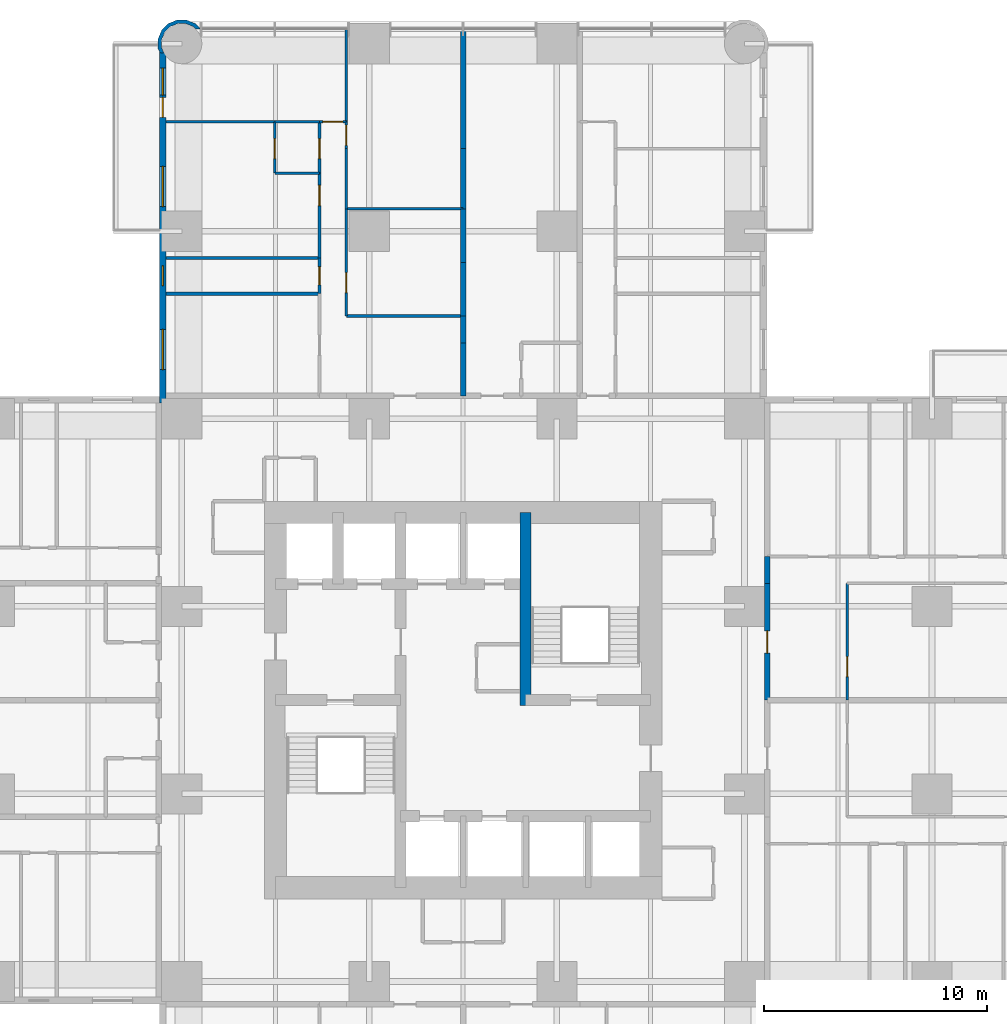
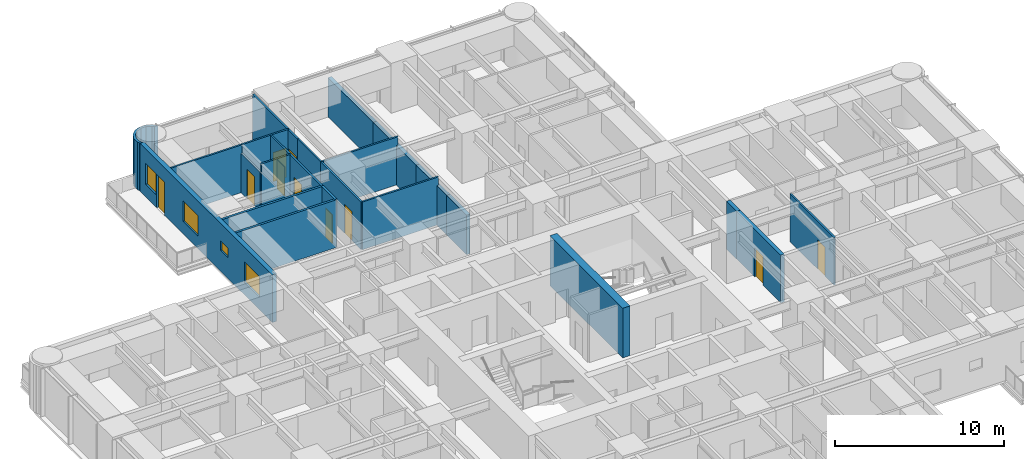
# One storey, part 13 of 17: 28 walls, 10 doors, 4 windows, 14 openings.
"""IFC4 building model written with IfcOpenShell, lengths in metres."""

from ifc_helpers import new_model, si_unit, direction, frame, frame_2d, origin, place, context, subcontext, project, spatial, polyline, rectangle, outline, extrude, material, layer, layer_set, type_object, element, fill, save


model = new_model("IFC4")

# Units and contexts
model_context = context("Model", 3, precision=1e-05, world=origin(), true_north=direction((0.0, 1.0)))
body_context = subcontext(model_context, "Body", "Model", "MODEL_VIEW")
ifc_project = project(units=[si_unit("LENGTHUNIT", "METRE"), si_unit("AREAUNIT", "SQUARE_METRE"), si_unit("VOLUMEUNIT", "CUBIC_METRE"), si_unit("PLANEANGLEUNIT", "RADIAN"), si_unit("MASSUNIT", "GRAM", prefix="KILO")], contexts=[model_context])

# Site, building, storey
site_placement = place(None, origin())
site = spatial("IfcSite", under=ifc_project, at=site_placement, CompositionType="ELEMENT")
building_placement = place(site_placement, origin())
building = spatial("IfcBuilding", under=site, at=building_placement, Name="Torre Alcanfor", CompositionType="ELEMENT")
storey_placement = place(building_placement, frame((0.0, 0.0, 63.300048828125)))
storey = spatial("IfcBuildingStorey", under=building, at=storey_placement, Name="L15", CompositionType="ELEMENT", Elevation=63.300048828125)

# Wall, opening, door
ifc_material_1 = material(Name="Concrete block masonry, hollow blocks NMX-C-404 9 MPa", Category="masonry")
ifc_layer_1 = layer(ifc_material_1, 0.25)
ifc_layer_set_1 = layer_set([ifc_layer_1], Name="Apartment entrance wall 250 EI 60")
wall_type_1 = type_object("IfcWallType", Name="Apartment entrance wall 250 EI 60", PredefinedType="PARTITIONING", material=ifc_layer_set_1)
wall_1_placement = place(storey_placement, frame((43.02490234375, 34.62890625, 0.0), z_axis=(0.0, 0.0, 1.0), x_axis=(0.0, -1.0, 0.0)))
wall_1 = element("IfcWall", 1, at=wall_1_placement, inside=storey, type_object=wall_type_1, Name="Partition L15-CORR / L15-E1-ZAG", PredefinedType="PARTITIONING", context=body_context, shape_type="SweptSolid", body=[
    extrude(rectangle(XDim=5.22900390625, YDim=0.25, at=frame_2d((2.614501953125, 0.0))), origin(), (0.0, 0.0, 1.0), 3.449951171875),
])
opening_1_placement = place(wall_1_placement, frame((2.12890625, 0.0, 0.0)))
opening_1 = element("IfcOpeningElement", 2, at=opening_1_placement, cuts=wall_1, Name="Opening D-A1", PredefinedType="OPENING", context=body_context, shape_type="SweptSolid", body=[
    extrude(rectangle(XDim=1.0, YDim=2.10009765625, at=frame_2d((0.5, 1.050048828125))), frame((0.0, 0.135009765625, 0.0), z_axis=(0.0, -1.0, 0.0), x_axis=(1.0, 0.0, 0.0)), (0.0, 0.0, 1.0), 0.27001953125),
])
ifc_material_2 = material(Name="Galvanised steel sheet ASTM A653", Category="steel")
door_type_1 = type_object("IfcDoorType", Name="Apartment entrance door FD60 1000x2100", OperationType="SINGLE_SWING_LEFT", PredefinedType="DOOR", material=ifc_material_2)
door_1_placement = place(opening_1_placement, origin())
door_1 = element("IfcDoor", 3, at=door_1_placement, inside=storey, type_object=door_type_1, Name="Apartment entrance L15-E1", OperationType="SINGLE_SWING_RIGHT", OverallHeight=2.10009765625, OverallWidth=1.0, PredefinedType="DOOR", context=body_context, shape_type="SweptSolid", body=[
    extrude(rectangle(XDim=1.0, YDim=2.10009765625, at=frame_2d((0.5, 1.050048828125))), frame((0.0, 0.02490234375, 0.0), z_axis=(0.0, -1.0, 0.0), x_axis=(1.0, 0.0, 0.0)), (0.0, 0.0, 1.0), 0.050048828125),
])
fill(opening_1, door_1)

# Walls
wall_2_placement = place(storey_placement, frame((43.02490234375, 35.8291015625, 0.0), z_axis=(0.0, 0.0, 1.0), x_axis=(0.0, -1.0, 0.0)))
element("IfcWall", 4, at=wall_2_placement, inside=storey, type_object=wall_type_1, Name="Partition L15-CORR / L15-E1-HALL", PredefinedType="PARTITIONING", context=body_context, shape_type="SweptSolid", body=[
    extrude(rectangle(XDim=1.2001953125, YDim=0.25, at=frame_2d((0.60009765625, 0.0))), origin(), (0.0, 0.0, 1.0), 3.449951171875),
])
ifc_material_3 = material(Name="Gypsum board on steel studs", Category="steel")
ifc_layer_2 = layer(ifc_material_3, 0.1201171875)
ifc_layer_set_2 = layer_set([ifc_layer_2], Name="Apartment partition 120")
wall_type_2 = type_object("IfcWallType", Name="Apartment partition 120", PredefinedType="PARTITIONING", material=ifc_layer_set_2)
for number, where, z_axis, x_axis, name in (
    (5, (29.39990234375, 46.60009765625, 0.0), (0.0, 0.0, 1.0), (-1.0, 0.0, 0.0), "Partition L15-N1-ZAG / L15-N1-FAMILY"),
    (6, (29.39990234375, 51.39990234375, 0.0), (0.0, 0.0, 1.0), (-1.0, 0.0, 0.0), "Partition L15-N1-FAMILY / L15-N1-KITCHEN"),
):
    element("IfcWall", number, at=place(storey_placement, frame(where, z_axis=z_axis, x_axis=x_axis)), inside=storey, type_object=wall_type_2, Name=name, PredefinedType="PARTITIONING", context=body_context, shape_type="SweptSolid", body=[
        extrude(rectangle(XDim=5.22900390625, YDim=0.1201171875, at=frame_2d((2.614501953125, 0.0))), origin(), (0.0, 0.0, 1.0), 3.449951171875),
    ])

# Wall, opening, door
wall_3_placement = place(storey_placement, frame((24.1708984375, 51.39990234375, 0.0), z_axis=(0.0, 0.0, 1.0), x_axis=(0.0, -1.0, 0.0)))
wall_3 = element("IfcWall", 7, at=wall_3_placement, inside=storey, type_object=wall_type_2, Name="Partition L15-N1-FAMILY / L15-N1-HALL", PredefinedType="PARTITIONING", context=body_context, shape_type="SweptSolid", body=[
    extrude(rectangle(XDim=4.7998046875, YDim=0.1201171875, at=frame_2d((2.39990234375, 0.0))), origin(), (0.0, 0.0, 1.0), 3.449951171875),
])
opening_2_placement = place(wall_3_placement, frame((2.85009765625, 0.0, 0.0)))
opening_2 = element("IfcOpeningElement", 8, at=opening_2_placement, cuts=wall_3, Name="Opening D-R1", PredefinedType="OPENING", context=body_context, shape_type="SweptSolid", body=[
    extrude(rectangle(XDim=0.89990234375, YDim=2.10009765625, at=frame_2d((0.449951171875, 1.050048828125))), frame((0.0, 0.070068359375, 0.0), z_axis=(0.0, -1.0, 0.0), x_axis=(1.0, 0.0, 0.0)), (0.0, 0.0, 1.0), 0.14013671875),
])
ifc_material_4 = material(Name="Timber", Category="wood")
door_type_2 = type_object("IfcDoorType", Name="Internal door 900x2100", OperationType="SINGLE_SWING_LEFT", PredefinedType="DOOR", material=ifc_material_4)
door_2_placement = place(opening_2_placement, origin())
door_2 = element("IfcDoor", 9, at=door_2_placement, inside=storey, type_object=door_type_2, Name="Door L15-N1 family", OperationType="SINGLE_SWING_RIGHT", OverallHeight=2.10009765625, OverallWidth=0.89990234375, PredefinedType="DOOR", context=body_context, shape_type="SweptSolid", body=[
    extrude(rectangle(XDim=0.89990234375, YDim=2.10009765625, at=frame_2d((0.449951171875, 1.050048828125))), frame((0.0, 0.02490234375, 0.0), z_axis=(0.0, -1.0, 0.0), x_axis=(1.0, 0.0, 0.0)), (0.0, 0.0, 1.0), 0.050048828125),
])
fill(opening_2, door_2)

# Wall
wall_4_placement = place(storey_placement, frame((24.1708984375, 54.10009765625, 0.0), z_axis=(0.0, 0.0, 1.0), x_axis=(0.0, -1.0, 0.0)))
element("IfcWall", 10, at=wall_4_placement, inside=storey, type_object=wall_type_2, Name="Partition L15-N1-KITCHEN / L15-N1-HALL", PredefinedType="PARTITIONING", context=body_context, shape_type="SweptSolid", body=[
    extrude(rectangle(XDim=2.7001953125, YDim=0.1201171875, at=frame_2d((1.35009765625, 0.0))), origin(), (0.0, 0.0, 1.0), 3.449951171875),
])

# Wall, opening, door
wall_5_placement = place(storey_placement, frame((24.1708984375, 55.300048828125, 0.0), z_axis=(0.0, 0.0, 1.0), x_axis=(0.0, -1.0, 0.0)))
wall_5 = element("IfcWall", 11, at=wall_5_placement, inside=storey, type_object=wall_type_2, Name="Partition L15-N1-LIVING / L15-N1-HALL", PredefinedType="PARTITIONING", context=body_context, shape_type="SweptSolid", body=[
    extrude(rectangle(XDim=1.199951171875, YDim=0.1201171875, at=frame_2d((0.60009765625, 0.0))), origin(), (0.0, 0.0, 1.0), 3.449951171875),
])
opening_3_placement = place(wall_5_placement, frame((0.14990234375, 0.0, 0.0)))
opening_3 = element("IfcOpeningElement", 12, at=opening_3_placement, cuts=wall_5, Name="Opening D-R1", PredefinedType="OPENING", context=body_context, shape_type="SweptSolid", body=[
    extrude(rectangle(XDim=0.89990234375, YDim=2.10009765625, at=frame_2d((0.449951171875, 1.050048828125))), frame((0.0, 0.070068359375, 0.0), z_axis=(0.0, -1.0, 0.0), x_axis=(1.0, 0.0, 0.0)), (0.0, 0.0, 1.0), 0.14013671875),
])
door_3_placement = place(opening_3_placement, origin())
door_3 = element("IfcDoor", 13, at=door_3_placement, inside=storey, type_object=door_type_2, Name="Door L15-N1 living", OperationType="SINGLE_SWING_RIGHT", OverallHeight=2.10009765625, OverallWidth=0.89990234375, PredefinedType="DOOR", context=body_context, shape_type="SweptSolid", body=[
    extrude(rectangle(XDim=0.89990234375, YDim=2.10009765625, at=frame_2d((0.449951171875, 1.050048828125))), frame((0.0, 0.02490234375, 0.0), z_axis=(0.0, -1.0, 0.0), x_axis=(1.0, 0.0, 0.0)), (0.0, 0.0, 1.0), 0.050048828125),
])
fill(opening_3, door_3)

# Wall
wall_6_placement = place(storey_placement, frame((24.1708984375, 59.449951171875, 0.0), z_axis=(0.0, 0.0, 1.0), x_axis=(0.0, -1.0, 0.0)))
element("IfcWall", 14, at=wall_6_placement, inside=storey, type_object=wall_type_2, Name="Partition L15-N1-LIVING / L15-N1-WGARD", PredefinedType="PARTITIONING", context=body_context, shape_type="SweptSolid", body=[
    extrude(rectangle(XDim=4.14990234375, YDim=0.1201171875, at=frame_2d((2.074951171875, 0.0))), origin(), (0.0, 0.0, 1.0), 3.449951171875),
])

# Wall, opening, door
wall_7_placement = place(storey_placement, frame((22.970947265625, 53.0, 0.0), z_axis=(0.0, 0.0, 1.0), x_axis=(0.0, -1.0, 0.0)))
wall_7 = element("IfcWall", 15, at=wall_7_placement, inside=storey, type_object=wall_type_2, Name="Partition L15-N1-HALL / L15-N1-MASTER", PredefinedType="PARTITIONING", context=body_context, shape_type="SweptSolid", body=[
    extrude(rectangle(XDim=3.800048828125, YDim=0.1201171875, at=frame_2d((1.89990234375, 0.0))), origin(), (0.0, 0.0, 1.0), 3.449951171875),
])
opening_4_placement = place(wall_7_placement, frame((0.550048828125, 0.0, 0.0)))
opening_4 = element("IfcOpeningElement", 16, at=opening_4_placement, cuts=wall_7, Name="Opening D-R1", PredefinedType="OPENING", context=body_context, shape_type="SweptSolid", body=[
    extrude(rectangle(XDim=0.89990234375, YDim=2.10009765625, at=frame_2d((0.449951171875, 1.050048828125))), frame((0.0, 0.070068359375, 0.0), z_axis=(0.0, -1.0, 0.0), x_axis=(1.0, 0.0, 0.0)), (0.0, 0.0, 1.0), 0.14013671875),
])
door_4_placement = place(opening_4_placement, frame((0.89990234375, 0.0, 0.0), z_axis=(0.0, 0.0, 1.0), x_axis=(-1.0, 0.0, 0.0)))
door_4 = element("IfcDoor", 17, at=door_4_placement, inside=storey, type_object=door_type_2, Name="Door L15-N1 master", OperationType="SINGLE_SWING_RIGHT", OverallHeight=2.10009765625, OverallWidth=0.89990234375, PredefinedType="DOOR", context=body_context, shape_type="SweptSolid", body=[
    extrude(rectangle(XDim=0.89990234375, YDim=2.10009765625, at=frame_2d((0.449951171875, 1.050048828125))), frame((0.0, 0.025146484375, 0.0), z_axis=(0.0, -1.0, 0.0), x_axis=(1.0, 0.0, 0.0)), (0.0, 0.0, 1.0), 0.050048828125),
])
fill(opening_4, door_4)

wall_8_placement = place(storey_placement, frame((22.970947265625, 55.300048828125, 0.0), z_axis=(0.0, 0.0, 1.0), x_axis=(0.0, -1.0, 0.0)))
wall_8 = element("IfcWall", 18, at=wall_8_placement, inside=storey, type_object=wall_type_2, Name="Partition L15-N1-HALL / L15-N1-VEST", PredefinedType="PARTITIONING", context=body_context, shape_type="SweptSolid", body=[
    extrude(rectangle(XDim=2.300048828125, YDim=0.1201171875, at=frame_2d((1.14990234375, 0.0))), origin(), (0.0, 0.0, 1.0), 3.449951171875),
])
opening_5_placement = place(wall_8_placement, frame((0.75, 0.0, 0.0)))
opening_5 = element("IfcOpeningElement", 19, at=opening_5_placement, cuts=wall_8, Name="Opening D-R1", PredefinedType="OPENING", context=body_context, shape_type="SweptSolid", body=[
    extrude(rectangle(XDim=0.89990234375, YDim=2.10009765625, at=frame_2d((0.449951171875, 1.050048828125))), frame((0.0, 0.070068359375, 0.0), z_axis=(0.0, -1.0, 0.0), x_axis=(1.0, 0.0, 0.0)), (0.0, 0.0, 1.0), 0.14013671875),
])
door_5_placement = place(opening_5_placement, frame((0.89990234375, 0.0, 0.0), z_axis=(0.0, 0.0, 1.0), x_axis=(-1.0, 0.0, 0.0)))
door_5 = element("IfcDoor", 20, at=door_5_placement, inside=storey, type_object=door_type_2, Name="Door L15-N1 vest", OperationType="SINGLE_SWING_LEFT", OverallHeight=2.10009765625, OverallWidth=0.89990234375, PredefinedType="DOOR", context=body_context, shape_type="SweptSolid", body=[
    extrude(rectangle(XDim=0.89990234375, YDim=2.10009765625, at=frame_2d((0.449951171875, 1.050048828125))), frame((0.0, 0.025146484375, 0.0), z_axis=(0.0, -1.0, 0.0), x_axis=(1.0, 0.0, 0.0)), (0.0, 0.0, 1.0), 0.050048828125),
])
fill(opening_5, door_5)

wall_9_placement = place(storey_placement, frame((24.1708984375, 55.300048828125, 0.0), z_axis=(0.0, 0.0, 1.0), x_axis=(-1.0, 0.0, 0.0)))
wall_9 = element("IfcWall", 21, at=wall_9_placement, inside=storey, type_object=wall_type_2, Name="Partition L15-N1-HALL / L15-N1-WGARD", PredefinedType="PARTITIONING", context=body_context, shape_type="SweptSolid", body=[
    extrude(rectangle(XDim=1.199951171875, YDim=0.1201171875, at=frame_2d((0.60009765625, 0.0))), origin(), (0.0, 0.0, 1.0), 3.449951171875),
])
opening_6_placement = place(wall_9_placement, frame((0.15087890625, 0.0, 0.0)))
opening_6 = element("IfcOpeningElement", 22, at=opening_6_placement, cuts=wall_9, Name="Opening D-R1", PredefinedType="OPENING", context=body_context, shape_type="SweptSolid", body=[
    extrude(rectangle(XDim=0.89990234375, YDim=2.10009765625, at=frame_2d((0.449951171875, 1.050048828125))), frame((0.0, 0.070068359375, 0.0), z_axis=(0.0, -1.0, 0.0), x_axis=(1.0, 0.0, 0.0)), (0.0, 0.0, 1.0), 0.14013671875),
])
door_6_placement = place(opening_6_placement, frame((0.89990234375, 0.0, 0.0), z_axis=(0.0, 0.0, 1.0), x_axis=(-1.0, 0.0, 0.0)))
door_6 = element("IfcDoor", 23, at=door_6_placement, inside=storey, type_object=door_type_2, Name="Door L15-N1 wgard", OperationType="SINGLE_SWING_RIGHT", OverallHeight=2.10009765625, OverallWidth=0.89990234375, PredefinedType="DOOR", context=body_context, shape_type="SweptSolid", body=[
    extrude(rectangle(XDim=0.89990234375, YDim=2.10009765625, at=frame_2d((0.449951171875, 1.050048828125))), frame((0.0, 0.025146484375, 0.0), z_axis=(0.0, -1.0, 0.0), x_axis=(1.0, 0.0, 0.0)), (0.0, 0.0, 1.0), 0.050048828125),
])
fill(opening_6, door_6)

wall_10_placement = place(storey_placement, frame((20.970947265625, 55.300048828125, 0.0), z_axis=(0.0, 0.0, 1.0), x_axis=(0.0, -1.0, 0.0)))
wall_10 = element("IfcWall", 24, at=wall_10_placement, inside=storey, type_object=wall_type_2, Name="Partition L15-N1-MASTER / L15-N1-VEST", PredefinedType="PARTITIONING", context=body_context, shape_type="SweptSolid", body=[
    extrude(rectangle(XDim=2.300048828125, YDim=0.1201171875, at=frame_2d((1.14990234375, 0.0))), origin(), (0.0, 0.0, 1.0), 2.847900390625),
])
opening_7_placement = place(wall_10_placement, frame((0.75, 0.0, 0.0)))
opening_7 = element("IfcOpeningElement", 25, at=opening_7_placement, cuts=wall_10, Name="Opening D-R1", PredefinedType="OPENING", context=body_context, shape_type="SweptSolid", body=[
    extrude(rectangle(XDim=0.89990234375, YDim=2.10009765625, at=frame_2d((0.449951171875, 1.050048828125))), frame((0.0, 0.070068359375, 0.0), z_axis=(0.0, -1.0, 0.0), x_axis=(1.0, 0.0, 0.0)), (0.0, 0.0, 1.0), 0.14013671875),
])
door_7_placement = place(opening_7_placement, origin())
door_7 = element("IfcDoor", 26, at=door_7_placement, inside=storey, type_object=door_type_2, Name="Door L15-N1 master", OperationType="SINGLE_SWING_RIGHT", OverallHeight=2.10009765625, OverallWidth=0.89990234375, PredefinedType="DOOR", context=body_context, shape_type="SweptSolid", body=[
    extrude(rectangle(XDim=0.89990234375, YDim=2.10009765625, at=frame_2d((0.449951171875, 1.050048828125))), frame((0.0, 0.02490234375, 0.0), z_axis=(0.0, -1.0, 0.0), x_axis=(1.0, 0.0, 0.0)), (0.0, 0.0, 1.0), 0.050048828125),
])
fill(opening_7, door_7)

# Walls
wall_11_placement = place(storey_placement, frame((20.970947265625, 53.0, 0.0), z_axis=(0.0, 0.0, 1.0), x_axis=(1.0, 0.0, 0.0)))
element("IfcWall", 27, at=wall_11_placement, inside=storey, type_object=wall_type_2, Name="Partition L15-N1-MASTER / L15-N1-VEST", PredefinedType="PARTITIONING", context=body_context, shape_type="SweptSolid", body=[
    extrude(rectangle(XDim=2.0, YDim=0.1201171875, at=frame_2d((1.0, 0.0))), origin(), (0.0, 0.0, 1.0), 3.449951171875),
])
wall_12_placement = place(storey_placement, frame((16.10009765625, 55.300048828125, 0.0), z_axis=(0.0, 0.0, 1.0), x_axis=(1.0, 0.0, 0.0)))
element("IfcWall", 28, at=wall_12_placement, inside=storey, type_object=wall_type_2, Name="Partition L15-N1-MASTER / L15-N1-WGARD", PredefinedType="PARTITIONING", context=body_context, shape_type="SweptSolid", body=[
    extrude(rectangle(XDim=4.870849609375, YDim=0.1201171875, at=frame_2d((2.435546875, 0.0))), origin(), (0.0, 0.0, 1.0), 3.449951171875),
])
wall_13_placement = place(storey_placement, frame((22.970947265625, 55.300048828125, 0.0), z_axis=(0.0, 0.0, 1.0), x_axis=(-1.0, 0.0, 0.0)))
element("IfcWall", 29, at=wall_13_placement, inside=storey, type_object=wall_type_2, Name="Partition L15-N1-VEST / L15-N1-WGARD", PredefinedType="PARTITIONING", context=body_context, shape_type="SweptSolid", body=[
    extrude(rectangle(XDim=2.0, YDim=0.1201171875, at=frame_2d((1.0, 0.0))), origin(), (0.0, 0.0, 1.0), 3.449951171875),
])

# Wall, opening, door
wall_14_placement = place(storey_placement, frame((46.60009765625, 29.39990234375, 0.0), z_axis=(0.0, 0.0, 1.0), x_axis=(0.0, 1.0, 0.0)))
wall_14 = element("IfcWall", 30, at=wall_14_placement, inside=storey, type_object=wall_type_2, Name="Partition L15-E1-ZAG / L15-E1-KITCHEN", PredefinedType="PARTITIONING", context=body_context, shape_type="SweptSolid", body=[
    extrude(rectangle(XDim=5.22900390625, YDim=0.1201171875, at=frame_2d((2.614501953125, 0.0))), origin(), (0.0, 0.0, 1.0), 3.449951171875),
])
opening_8_placement = place(wall_14_placement, frame((1.050048828125, 0.0, 0.0)))
opening_8 = element("IfcOpeningElement", 31, at=opening_8_placement, cuts=wall_14, Name="Opening D-R1", PredefinedType="OPENING", context=body_context, shape_type="SweptSolid", body=[
    extrude(rectangle(XDim=0.89990234375, YDim=2.10009765625, at=frame_2d((0.449951171875, 1.050048828125))), frame((0.0, 0.070068359375, 0.0), z_axis=(0.0, -1.0, 0.0), x_axis=(1.0, 0.0, 0.0)), (0.0, 0.0, 1.0), 0.14013671875),
])
door_8_placement = place(opening_8_placement, frame((0.89990234375, 0.0, 0.0), z_axis=(0.0, 0.0, 1.0), x_axis=(-1.0, 0.0, 0.0)))
door_8 = element("IfcDoor", 32, at=door_8_placement, inside=storey, type_object=door_type_2, Name="Door L15-E1 kitchen", OperationType="SINGLE_SWING_RIGHT", OverallHeight=2.10009765625, OverallWidth=0.89990234375, PredefinedType="DOOR", context=body_context, shape_type="SweptSolid", body=[
    extrude(rectangle(XDim=0.89990234375, YDim=2.10009765625, at=frame_2d((0.449951171875, 1.050048828125))), frame((0.0, 0.025146484375, 0.0), z_axis=(0.0, -1.0, 0.0), x_axis=(1.0, 0.0, 0.0)), (0.0, 0.0, 1.0), 0.050048828125),
])
fill(opening_8, door_8)

# Wall
ifc_material_5 = material(Name="Concrete f'c 70 MPa", Category="concrete")
ifc_layer_3 = layer(ifc_material_5, 0.5)
ifc_layer_set_3 = layer_set([ifc_layer_3], Name="Core inner wall 500 f'c70")
wall_type_3 = type_object("IfcWallType", Name="Core inner wall 500 f'c70", PredefinedType="SHEAR", material=ifc_layer_set_3)
wall_15_placement = place(storey_placement, frame((32.199951171875, 29.14990234375, 0.0), z_axis=(0.0, 0.0, 1.0), x_axis=(0.0, 1.0, 0.0)))
element("IfcWall", 33, at=wall_15_placement, inside=storey, type_object=wall_type_3, Name="Core wall X322N L15", PredefinedType="SHEAR", context=body_context, shape_type="SweptSolid", body=[
    extrude(rectangle(XDim=8.650146484375, YDim=0.5, at=frame_2d((4.3251953125, 0.0))), origin(), (0.0, 0.0, 1.0), 3.599853515625),
])

# Wall, openings, door, windows
ifc_material_6 = material(Name="Limestone cladding", Category="masonry")
ifc_layer_4 = layer(ifc_material_6, 0.0400390625, Name="Facing")
ifc_material_7 = material(Name="Ventilated air cavity")
ifc_layer_5 = layer(ifc_material_7, 0.02001953125, ventilated=True, Name="Ventilated joint")
ifc_material_8 = material(Name="Mineral wool insulation", Category="insulation")
ifc_layer_6 = layer(ifc_material_8, 0.10009765625, Name="Insulation")
ifc_material_9 = material(Name="Concrete f'c 35 MPa", Category="concrete")
ifc_layer_7 = layer(ifc_material_9, 0.139892578125, Name="Backing")
ifc_layer_set_4 = layer_set([ifc_layer_4, ifc_layer_5, ifc_layer_6, ifc_layer_7], Name="External wall stone-clad 300")
wall_type_4 = type_object("IfcWallType", Name="External wall stone-clad 300", PredefinedType="SOLIDWALL", material=ifc_layer_set_4)
wall_16_placement = place(storey_placement, frame((15.949951171875, 58.39990234375, 0.0), z_axis=(0.0, 0.0, 1.0), x_axis=(0.0, -1.0, 0.0)))
wall_16 = element("IfcWall", 34, at=wall_16_placement, inside=storey, type_object=wall_type_4, Name="External wall L15 12", PredefinedType="SOLIDWALL", context=body_context, shape_type="SweptSolid", body=[
    extrude(rectangle(XDim=15.699951171875, YDim=0.300048828125, at=frame_2d((7.85009765625, 0.0))), origin(), (0.0, 0.0, 1.0), 3.449951171875),
])
opening_9_placement = place(wall_16_placement, frame((12.39990234375, 0.0, 0.89990234375)))
opening_9 = element("IfcOpeningElement", 35, at=opening_9_placement, cuts=wall_16, Name="Opening W2", PredefinedType="OPENING", context=body_context, shape_type="SweptSolid", body=[
    extrude(rectangle(XDim=1.800048828125, YDim=1.5, at=frame_2d((0.89990234375, 0.75))), frame((0.0, 0.159912109375, 0.0), z_axis=(0.0, -1.0, 0.0), x_axis=(1.0, 0.0, 0.0)), (0.0, 0.0, 1.0), 0.320068359375),
])
opening_10_placement = place(wall_16_placement, frame((9.550048828125, 0.0, 1.5)))
opening_10 = element("IfcOpeningElement", 36, at=opening_10_placement, cuts=wall_16, Name="Opening W3", PredefinedType="OPENING", context=body_context, shape_type="SweptSolid", body=[
    extrude(rectangle(XDim=0.89990234375, YDim=0.699951171875, at=frame_2d((0.449951171875, 0.35009765625))), frame((0.0, 0.159912109375, 0.0), z_axis=(0.0, -1.0, 0.0), x_axis=(1.0, 0.0, 0.0)), (0.0, 0.0, 1.0), 0.320068359375),
])
opening_11_placement = place(wall_16_placement, frame((5.10009765625, 0.0, 0.89990234375)))
opening_11 = element("IfcOpeningElement", 37, at=opening_11_placement, cuts=wall_16, Name="Opening W2", PredefinedType="OPENING", context=body_context, shape_type="SweptSolid", body=[
    extrude(rectangle(XDim=1.800048828125, YDim=1.5, at=frame_2d((0.89990234375, 0.75))), frame((0.0, 0.159912109375, 0.0), z_axis=(0.0, -1.0, 0.0), x_axis=(1.0, 0.0, 0.0)), (0.0, 0.0, 1.0), 0.320068359375),
])
opening_12_placement = place(wall_16_placement, frame((2.0, 0.0, 0.0)))
opening_12 = element("IfcOpeningElement", 38, at=opening_12_placement, cuts=wall_16, Name="Opening D-B1", PredefinedType="OPENING", context=body_context, shape_type="SweptSolid", body=[
    extrude(rectangle(XDim=0.89990234375, YDim=2.39990234375, at=frame_2d((0.449951171875, 1.199951171875))), frame((0.0, 0.159912109375, 0.0), z_axis=(0.0, -1.0, 0.0), x_axis=(1.0, 0.0, 0.0)), (0.0, 0.0, 1.0), 0.320068359375),
])
opening_13_placement = place(wall_16_placement, frame((0.699951171875, 0.0, 0.89990234375)))
opening_13 = element("IfcOpeningElement", 39, at=opening_13_placement, cuts=wall_16, Name="Opening W4", PredefinedType="OPENING", context=body_context, shape_type="SweptSolid", body=[
    extrude(rectangle(XDim=1.199951171875, YDim=1.5, at=frame_2d((0.60009765625, 0.75))), frame((0.0, 0.159912109375, 0.0), z_axis=(0.0, -1.0, 0.0), x_axis=(1.0, 0.0, 0.0)), (0.0, 0.0, 1.0), 0.320068359375),
])
ifc_material_10 = material(Name="Aluminium and glass", Category="aluminium")
door_type_3 = type_object("IfcDoorType", Name="Balcony door glazed 900x2400", OperationType="SINGLE_SWING_LEFT", PredefinedType="DOOR", material=ifc_material_10)
door_9_placement = place(opening_12_placement, origin())
door_9 = element("IfcDoor", 40, at=door_9_placement, inside=storey, type_object=door_type_3, Name="Balcony door L15-N1", OperationType="SINGLE_SWING_RIGHT", OverallHeight=2.39990234375, OverallWidth=0.89990234375, PredefinedType="DOOR", context=body_context, shape_type="SweptSolid", body=[
    extrude(rectangle(XDim=0.89990234375, YDim=2.39990234375, at=frame_2d((0.449951171875, 1.199951171875))), frame((0.0, 0.02490234375, 0.0), z_axis=(0.0, -1.0, 0.0), x_axis=(1.0, 0.0, 0.0)), (0.0, 0.0, 1.0), 0.050048828125),
])
fill(opening_12, door_9)
ifc_material_11 = material(Name="Aluminium frame with clear double glazing", Category="aluminium")
window_type_1 = type_object("IfcWindowType", Name="Window bathroom 900x700", PartitioningType="SINGLE_PANEL", PredefinedType="WINDOW", material=ifc_material_11)
window_1_placement = place(opening_10_placement, origin())
window_1 = element("IfcWindow", 41, at=window_1_placement, inside=storey, type_object=window_type_1, Name="Window W3 L15-N1", OverallHeight=0.699951171875, OverallWidth=0.89990234375, PartitioningType="SINGLE_PANEL", PredefinedType="WINDOW", context=body_context, shape_type="SweptSolid", body=[
    extrude(rectangle(XDim=0.89990234375, YDim=0.699951171875, at=frame_2d((0.449951171875, 0.35009765625))), frame((0.0, 0.030029296875, 0.0), z_axis=(0.0, -1.0, 0.0), x_axis=(1.0, 0.0, 0.0)), (0.0, 0.0, 1.0), 0.06005859375),
])
fill(opening_10, window_1)
ifc_material_12 = material(Name="Aluminium frame with clear double glazing", Category="aluminium")
window_type_2 = type_object("IfcWindowType", Name="Window bedroom 1200x1500", PartitioningType="SINGLE_PANEL", PredefinedType="WINDOW", material=ifc_material_12)
window_2_placement = place(opening_13_placement, origin())
window_2 = element("IfcWindow", 42, at=window_2_placement, inside=storey, type_object=window_type_2, Name="Window W4 L15-N1", OverallHeight=1.5, OverallWidth=1.199951171875, PartitioningType="SINGLE_PANEL", PredefinedType="WINDOW", context=body_context, shape_type="SweptSolid", body=[
    extrude(rectangle(XDim=1.199951171875, YDim=1.5, at=frame_2d((0.60009765625, 0.75))), frame((0.0, 0.030029296875, 0.0), z_axis=(0.0, -1.0, 0.0), x_axis=(1.0, 0.0, 0.0)), (0.0, 0.0, 1.0), 0.06005859375),
])
fill(opening_13, window_2)
ifc_material_13 = material(Name="Aluminium frame with clear double glazing", Category="aluminium")
window_type_3 = type_object("IfcWindowType", Name="Window bedroom 1800x1500", PartitioningType="SINGLE_PANEL", PredefinedType="WINDOW", material=ifc_material_13)
window_3_placement = place(opening_9_placement, origin())
window_3 = element("IfcWindow", 43, at=window_3_placement, inside=storey, type_object=window_type_3, Name="Window W2 L15-N1", OverallHeight=1.5, OverallWidth=1.800048828125, PartitioningType="SINGLE_PANEL", PredefinedType="WINDOW", context=body_context, shape_type="SweptSolid", body=[
    extrude(rectangle(XDim=1.800048828125, YDim=1.5, at=frame_2d((0.89990234375, 0.75))), frame((0.0, 0.030029296875, 0.0), z_axis=(0.0, -1.0, 0.0), x_axis=(1.0, 0.0, 0.0)), (0.0, 0.0, 1.0), 0.06005859375),
])
fill(opening_9, window_3)
window_4_placement = place(opening_11_placement, origin())
window_4 = element("IfcWindow", 44, at=window_4_placement, inside=storey, type_object=window_type_3, Name="Window W2 L15-N1", OverallHeight=1.5, OverallWidth=1.800048828125, PartitioningType="SINGLE_PANEL", PredefinedType="WINDOW", context=body_context, shape_type="SweptSolid", body=[
    extrude(rectangle(XDim=1.800048828125, YDim=1.5, at=frame_2d((0.89990234375, 0.75))), frame((0.0, 0.030029296875, 0.0), z_axis=(0.0, -1.0, 0.0), x_axis=(1.0, 0.0, 0.0)), (0.0, 0.0, 1.0), 0.06005859375),
])
fill(opening_11, window_4)

# Walls
ifc_material_14 = material(Name="Concrete block masonry, hollow blocks NMX-C-404 9 MPa", Category="masonry")
ifc_layer_8 = layer(ifc_material_14, 0.25)
ifc_layer_set_5 = layer_set([ifc_layer_8], Name="Party wall 250 EI 60")
wall_type_5 = type_object("IfcWallType", Name="Party wall 250 EI 60", PredefinedType="PARTITIONING", material=ifc_layer_set_5)
wall_17_placement = place(storey_placement, frame((29.39990234375, 43.02490234375, 0.0), z_axis=(0.0, 0.0, 1.0), x_axis=(0.0, 1.0, 0.0)))
element("IfcWall", 45, at=wall_17_placement, inside=storey, type_object=wall_type_5, Name="Partition L15-N1-ZAG / L15-N2A-FOYER", PredefinedType="PARTITIONING", context=body_context, shape_type="SweptSolid", body=[
    extrude(rectangle(XDim=2.375, YDim=0.25, at=frame_2d((1.1875, 0.0))), origin(), (0.0, 0.0, 1.0), 2.847900390625),
])
wall_18_placement = place(storey_placement, frame((29.39990234375, 45.39990234375, 0.0), z_axis=(0.0, 0.0, 1.0), x_axis=(0.0, 1.0, 0.0)))
element("IfcWall", 46, at=wall_18_placement, inside=storey, type_object=wall_type_5, Name="Partition L15-N1-ZAG / L15-N2A-KITCHEN", PredefinedType="PARTITIONING", context=body_context, shape_type="SweptSolid", body=[
    extrude(rectangle(XDim=1.2001953125, YDim=0.25, at=frame_2d((0.60009765625, 0.0))), origin(), (0.0, 0.0, 1.0), 2.847900390625),
])
for number, where, z_axis, x_axis, name in (
    (47, (29.39990234375, 46.60009765625, 0.0), (0.0, 0.0, 1.0), (0.0, 1.0, 0.0), "Partition L15-N1-FAMILY / L15-N2A-KITCHEN"),
    (48, (29.39990234375, 49.0, 0.0), (0.0, 0.0, 1.0), (0.0, 1.0, 0.0), "Partition L15-N1-FAMILY / L15-N2A-STUDIO"),
):
    element("IfcWall", number, at=place(storey_placement, frame(where, z_axis=z_axis, x_axis=x_axis)), inside=storey, type_object=wall_type_5, Name=name, PredefinedType="PARTITIONING", context=body_context, shape_type="SweptSolid", body=[
        extrude(rectangle(XDim=2.39990234375, YDim=0.25, at=frame_2d((1.199951171875, 0.0))), origin(), (0.0, 0.0, 1.0), 2.847900390625),
    ])
wall_19_placement = place(storey_placement, frame((29.39990234375, 51.39990234375, 0.0), z_axis=(0.0, 0.0, 1.0), x_axis=(0.0, 1.0, 0.0)))
element("IfcWall", 49, at=wall_19_placement, inside=storey, type_object=wall_type_5, Name="Partition L15-N1-KITCHEN / L15-N2A-STUDIO", PredefinedType="PARTITIONING", context=body_context, shape_type="SweptSolid", body=[
    extrude(rectangle(XDim=2.7001953125, YDim=0.25, at=frame_2d((1.35009765625, 0.0))), origin(), (0.0, 0.0, 1.0), 2.847900390625),
])
wall_20_placement = place(storey_placement, frame((29.39990234375, 54.10009765625, 0.0), z_axis=(0.0, 0.0, 1.0), x_axis=(0.0, 1.0, 0.0)))
element("IfcWall", 50, at=wall_20_placement, inside=storey, type_object=wall_type_5, Name="Partition L15-N1-LIVING / L15-N2A-STUDIO", PredefinedType="PARTITIONING", context=body_context, shape_type="SweptSolid", body=[
    extrude(rectangle(XDim=5.349853515625, YDim=0.25, at=frame_2d((2.6748046875, 0.0))), origin(), (0.0, 0.0, 1.0), 2.847900390625),
])
ifc_layer_9 = layer(ifc_material_6, 0.0400390625, Name="Facing")
ifc_layer_10 = layer(ifc_material_7, 0.02001953125, ventilated=True, Name="Ventilated joint")
ifc_layer_11 = layer(ifc_material_8, 0.10009765625, Name="Insulation")
ifc_layer_12 = layer(ifc_material_9, 0.139892578125, Name="Backing")
ifc_layer_set_6 = layer_set([ifc_layer_9, ifc_layer_10, ifc_layer_11, ifc_layer_12], Name="Rounded corner pier stone-clad 300")
wall_type_6 = type_object("IfcWallType", Name="Rounded corner pier stone-clad 300", PredefinedType="SOLIDWALL", material=ifc_layer_set_6)
wall_21_placement = place(storey_placement, frame((17.56659392, 59.410519256, 0.0), z_axis=(0.0, 0.0, 1.0), x_axis=(-0.377204953059, 0.926129809145, 0.0)))
element("IfcWall", 51, at=wall_21_placement, inside=storey, type_object=wall_type_6, Name="Corner pier L15 20", PredefinedType="SOLIDWALL", context=body_context, shape_type="SweptSolid", body=[
    extrude(outline(polyline([(-0.2696128896034876, 2.017259773730947), (-0.3700074466497617, 1.8406682313445892), (-0.10228391712117135, 1.84234447704578), (0.22963955939869596, 1.7071548112521016), (0.48448400216769655, 1.4552078217286728), (0.623591424193435, 1.1249193736895309), (0.6256953869469392, 0.7663384814459974), (0.4905057211532608, 0.43441500492612994), (0.23855873162983204, 0.17957056215712927), (0.0901868556189969, 0.11689353267829827), (0.010896458992050665, -0.07778365620699182), (0.024462813618203284, -0.08330911938656994), (0.3293875956360306, 0.04530321995417183), (0.4799529344667901, 0.19750641360159463), (0.4990544088845829, 0.19262629437695172), (0.507600976756774, 0.22526044306054033), (0.6260470289213595, 0.34520397592848606), (0.7850882774402169, 0.7356888832512456), (0.7822913942554518, 1.1572920874778148), (0.618751344370654, 1.5460366857348715), (0.3187584973433468, 1.8424700131097647), (-0.07172640997941271, 2.0015112616286217), (-0.24006791291721008, 2.0004813020300714), (-0.2696128896034876, 2.017259773730947)])), origin(), (0.0, 0.0, 1.0), 3.449951171875),
])

# Wall, opening, door
ifc_material_15 = material(Name="Cement board on steel studs", Category="steel")
ifc_layer_13 = layer(ifc_material_15, 0.14990234375)
ifc_layer_set_7 = layer_set([ifc_layer_13], Name="Wet area partition 150")
wall_type_7 = type_object("IfcWallType", Name="Wet area partition 150", PredefinedType="PARTITIONING", material=ifc_layer_set_7)
wall_22_placement = place(storey_placement, frame((22.970947265625, 49.199951171875, 0.0), z_axis=(0.0, 0.0, 1.0), x_axis=(0.0, -1.0, 0.0)))
wall_22 = element("IfcWall", 52, at=wall_22_placement, inside=storey, type_object=wall_type_7, Name="Partition L15-N1-HALL / L15-N1-BATH1", PredefinedType="PARTITIONING", context=body_context, shape_type="SweptSolid", body=[
    extrude(rectangle(XDim=1.599853515625, YDim=0.14990234375, at=frame_2d((0.7998046875, 0.0))), origin(), (0.0, 0.0, 1.0), 3.449951171875),
])
opening_14_placement = place(wall_22_placement, frame((0.39990234375, 0.0, 0.0)))
opening_14 = element("IfcOpeningElement", 53, at=opening_14_placement, cuts=wall_22, Name="Opening D-R2", PredefinedType="OPENING", context=body_context, shape_type="SweptSolid", body=[
    extrude(rectangle(XDim=0.800048828125, YDim=2.10009765625, at=frame_2d((0.39990234375, 1.050048828125))), frame((0.0, 0.0849609375, 0.0), z_axis=(0.0, -1.0, 0.0), x_axis=(1.0, 0.0, 0.0)), (0.0, 0.0, 1.0), 0.169921875),
])
ifc_material_16 = material(Name="Timber", Category="wood")
door_type_4 = type_object("IfcDoorType", Name="Bathroom door 800x2100", OperationType="SINGLE_SWING_LEFT", PredefinedType="DOOR", material=ifc_material_16)
door_10_placement = place(opening_14_placement, frame((0.800048828125, 0.0, 0.0), z_axis=(0.0, 0.0, 1.0), x_axis=(-1.0, 0.0, 0.0)))
door_10 = element("IfcDoor", 54, at=door_10_placement, inside=storey, type_object=door_type_4, Name="Door L15-N1 bath1", OperationType="SINGLE_SWING_RIGHT", OverallHeight=2.10009765625, OverallWidth=0.800048828125, PredefinedType="DOOR", context=body_context, shape_type="SweptSolid", body=[
    extrude(rectangle(XDim=0.800048828125, YDim=2.10009765625, at=frame_2d((0.400146484375, 1.050048828125))), frame((0.0, 0.025146484375, 0.0), z_axis=(0.0, -1.0, 0.0), x_axis=(1.0, 0.0, 0.0)), (0.0, 0.0, 1.0), 0.050048828125),
])
fill(opening_14, door_10)

# Walls
for number, where, z_axis, x_axis, name in (
    (55, (22.970947265625, 47.60009765625, 0.0), (0.0, 0.0, 1.0), (-1.0, 0.0, 0.0), "Partition L15-N1-BED2 / L15-N1-BATH1"),
    (56, (22.970947265625, 49.199951171875, 0.0), (0.0, 0.0, 1.0), (-1.0, 0.0, 0.0), "Partition L15-N1-BATH1 / L15-N1-MASTER"),
):
    element("IfcWall", number, at=place(storey_placement, frame(where, z_axis=z_axis, x_axis=x_axis)), inside=storey, type_object=wall_type_7, Name=name, PredefinedType="PARTITIONING", context=body_context, shape_type="SweptSolid", body=[
        extrude(rectangle(XDim=6.870849609375, YDim=0.14990234375, at=frame_2d((3.435546875, 0.0))), origin(), (0.0, 0.0, 1.0), 3.449951171875),
    ])

save(model, "model.ifc")
